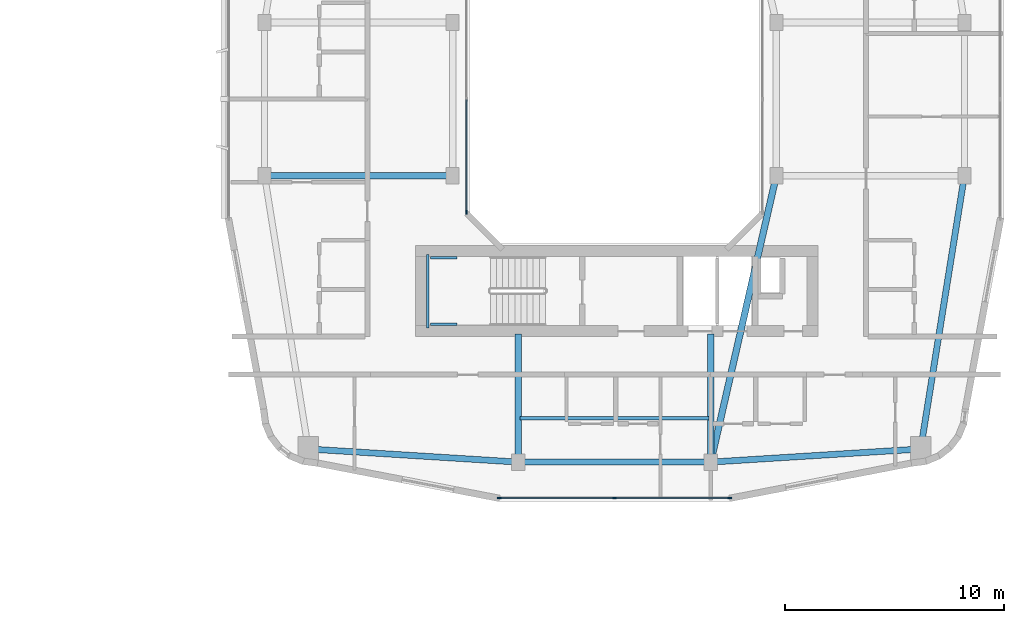
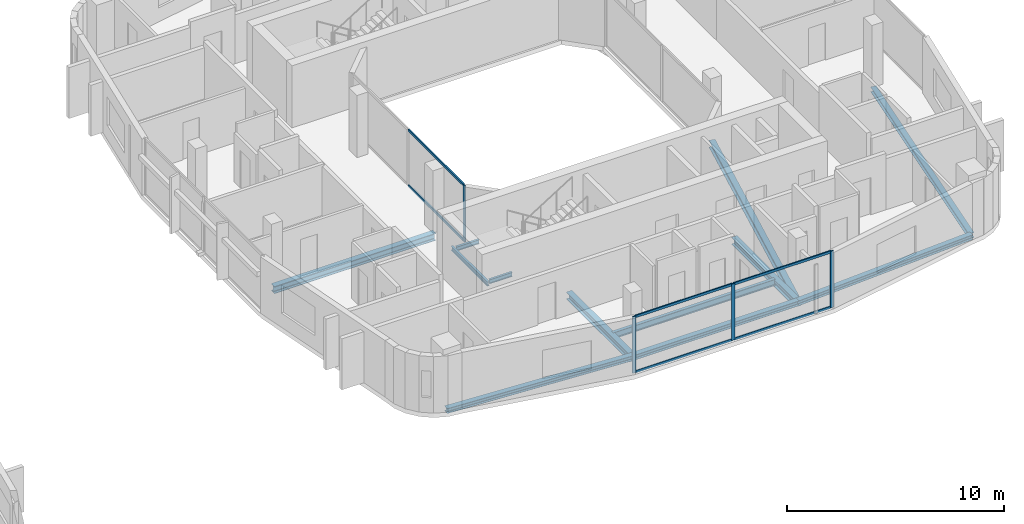
# One storey, part 8 of 25: 12 beams, 10 members, 2 elements without a shape of their own.
"""IFC4 building model written with IfcOpenShell, lengths in metres."""

from ifc_helpers import new_model, si_unit, derived_unit, direction, frame, origin, origin_2d, place, context, subcontext, project, spatial, rectangle, i_section, extrude, material, layer, layer_set, material_profile, profile_set, type_object, element, aggregate, save


model = new_model("IFC4")

# Units and contexts
model_context = context("Model", 3, precision=1e-05, world=origin(), true_north=direction((0.0, 1.0)))
body_context = subcontext(model_context, "Body", "Model", "MODEL_VIEW")
ifc_project = project(units=[si_unit("LENGTHUNIT", "METRE"), si_unit("AREAUNIT", "SQUARE_METRE"), si_unit("VOLUMEUNIT", "CUBIC_METRE"), si_unit("PLANEANGLEUNIT", "RADIAN"), si_unit("MASSUNIT", "GRAM", prefix="KILO"), derived_unit("THERMALTRANSMITTANCEUNIT", [(si_unit("POWERUNIT", "WATT"), 1), (si_unit("LENGTHUNIT", "METRE"), -2), (si_unit("THERMODYNAMICTEMPERATUREUNIT", "KELVIN"), -1)])], contexts=[model_context])

# Site, building, storey
site_placement = place(None, origin())
site = spatial("IfcSite", under=ifc_project, at=site_placement, CompositionType="ELEMENT")
building_placement = place(site_placement, origin())
building = spatial("IfcBuilding", under=site, at=building_placement, Name="Kivonza Crest Hotel", CompositionType="ELEMENT")
storey_placement = place(building_placement, frame((0.0, 0.0, 87.0)))
storey = spatial("IfcBuildingStorey", under=building, at=storey_placement, Name="L23", CompositionType="ELEMENT", Elevation=87.0)

# Beams
ifc_material_1 = material(Name="Steel S355", Category="steel")
ifc_material_profile_1 = material_profile(ifc_material_1, i_section(OverallWidth=0.280029296875, OverallDepth=0.280029296875, WebThickness=0.010498046875, FlangeThickness=0.01806640625, FilletRadius=0.02392578125, at=origin_2d()), Name="HEB 280")
ifc_profile_set_1 = profile_set([ifc_material_profile_1], Name="Steel S355")
beam_type_1 = type_object("IfcBeamType", Name="BM-HEB280", PredefinedType="SPANDREL", material=ifc_profile_set_1)
beam_1_placement = place(storey_placement, frame((72.60009765625, 8.39990234375, -0.389892578125), z_axis=(1.0, 0.0, 0.0), x_axis=(0.0, 1.0, 0.0)))
element("IfcBeam", 1, at=beam_1_placement, inside=storey, type_object=beam_type_1, Name="Companion Tower T2 L23 perimeter spandrel S1-S2", PredefinedType="SPANDREL", context=body_context, shape_type="SweptSolid", body=[
    extrude(i_section(OverallWidth=0.280029296875, OverallDepth=0.280029296875, WebThickness=0.010498046875, FlangeThickness=0.01806640625, FilletRadius=0.02392578125, at=origin_2d()), origin(), (0.0, 0.0, 1.0), 8.7998046875),
])
beam_2_placement = place(storey_placement, frame((81.39990234375, 8.39990234375, -0.389892578125), z_axis=(0.998051985873, 0.062387767186, 0.0), x_axis=(-0.062387767186, 0.998051985873, 0.0)))
element("IfcBeam", 2, at=beam_2_placement, inside=storey, type_object=beam_type_1, Name="Companion Tower T2 L23 perimeter spandrel S2-SE", PredefinedType="SPANDREL", context=body_context, shape_type="SweptSolid", body=[
    extrude(i_section(OverallWidth=0.280029296875, OverallDepth=0.280029296875, WebThickness=0.010498046875, FlangeThickness=0.01806640625, FilletRadius=0.02392578125, at=origin_2d()), origin(), (0.0, 0.0, 1.0), 9.618896484375),
])
beam_3_placement = place(storey_placement, frame((91.0, 9.0, -0.389892578125), z_axis=(0.157990501107, 0.987440631917, 0.0), x_axis=(-0.987440631917, 0.157990501107, 0.0)))
element("IfcBeam", 3, at=beam_3_placement, inside=storey, type_object=beam_type_1, Name="Companion Tower T2 L23 perimeter spandrel SE-E1", PredefinedType="SPANDREL", context=body_context, shape_type="SweptSolid", body=[
    extrude(i_section(OverallWidth=0.280029296875, OverallDepth=0.280029296875, WebThickness=0.010498046875, FlangeThickness=0.01806640625, FilletRadius=0.02392578125, at=origin_2d()), origin(), (0.0, 0.0, 1.0), 12.658935546875),
])
beam_4_placement = place(storey_placement, frame((63.0, 9.0, -0.389892578125), z_axis=(0.998051985873, -0.062387767186, 0.0), x_axis=(0.062387767186, 0.998051985873, 0.0)))
element("IfcBeam", 4, at=beam_4_placement, inside=storey, type_object=beam_type_1, Name="Companion Tower T2 L23 perimeter spandrel SW-S1", PredefinedType="SPANDREL", context=body_context, shape_type="SweptSolid", body=[
    extrude(i_section(OverallWidth=0.280029296875, OverallDepth=0.280029296875, WebThickness=0.010498046875, FlangeThickness=0.01806640625, FilletRadius=0.02392578125, at=origin_2d()), origin(), (0.0, 0.0, 1.0), 9.618896484375),
])
ifc_material_profile_2 = material_profile(ifc_material_1, i_section(OverallWidth=0.300048828125, OverallDepth=0.39990234375, WebThickness=0.013427734375, FlangeThickness=0.02392578125, FilletRadius=0.027099609375, at=origin_2d()), Name="HEB 400")
ifc_profile_set_2 = profile_set([ifc_material_profile_2], Name="Steel S355")
beam_type_2 = type_object("IfcBeamType", Name="BM-HEB400", PredefinedType="BEAM", material=ifc_profile_set_2)
beam_5_placement = place(storey_placement, frame((61.0, 21.5, -0.449951171875), z_axis=(1.0, 0.0, 0.0), x_axis=(0.0, 1.0, 0.0)))
element("IfcBeam", 5, at=beam_5_placement, inside=storey, type_object=beam_type_2, Name="Companion Tower T2 L23 girder W1-WL1", PredefinedType="BEAM", context=body_context, shape_type="SweptSolid", body=[
    extrude(i_section(OverallWidth=0.300048828125, OverallDepth=0.39990234375, WebThickness=0.013427734375, FlangeThickness=0.02392578125, FilletRadius=0.027099609375, at=origin_2d()), origin(), (0.0, 0.0, 1.0), 8.60009765625),
])
beam_6_placement = place(storey_placement, frame((84.39990234375, 21.5, -0.449951171875), z_axis=(-0.223227287589, -0.974766422317, 0.0), x_axis=(0.974766422317, -0.223227287589, 0.0)))
element("IfcBeam", 6, at=beam_6_placement, inside=storey, type_object=beam_type_2, Name="Companion Tower T2 L23 girder WR1-S2", PredefinedType="BEAM", context=body_context, shape_type="SweptSolid", body=[
    extrude(i_section(OverallWidth=0.300048828125, OverallDepth=0.39990234375, WebThickness=0.013427734375, FlangeThickness=0.02392578125, FilletRadius=0.027099609375, at=origin_2d()), origin(), (0.0, 0.0, 1.0), 13.439208984375),
])
for number, where, z_axis, x_axis, name in (
    (7, (72.60009765625, 8.39990234375, -0.449951171875), (0.0, 1.0, 0.0), (-1.0, 0.0, 0.0), "Companion T2 L23 radial core girder RS1"),
    (8, (81.39990234375, 8.39990234375, -0.449951171875), (0.0, 1.0, 0.0), (-1.0, 0.0, 0.0), "Companion T2 L23 radial core girder RS2"),
):
    element("IfcBeam", number, at=place(storey_placement, frame(where, z_axis=z_axis, x_axis=x_axis)), inside=storey, type_object=beam_type_2, Name=name, PredefinedType="BEAM", context=body_context, shape_type="SweptSolid", body=[
        extrude(i_section(OverallWidth=0.300048828125, OverallDepth=0.39990234375, WebThickness=0.013427734375, FlangeThickness=0.02392578125, FilletRadius=0.027099609375, at=origin_2d()), origin(), (0.0, 0.0, 1.0), 5.85009765625),
    ])
ifc_material_profile_3 = material_profile(ifc_material_1, i_section(OverallWidth=0.169921875, OverallDepth=0.360107421875, WebThickness=0.008056640625, FlangeThickness=0.0126953125, FilletRadius=0.01806640625, at=origin_2d()), Name="IPE 360")
ifc_profile_set_3 = profile_set([ifc_material_profile_3], Name="Steel S355")
beam_type_3 = type_object("IfcBeamType", Name="BM-IPE360", PredefinedType="JOIST", material=ifc_profile_set_3)
beam_7_placement = place(storey_placement, frame((72.679931640625, 10.39990234375, -0.429931640625), z_axis=(1.0, 0.0, 0.0), x_axis=(0.0, 1.0, 0.0)))
element("IfcBeam", 9, at=beam_7_placement, inside=storey, type_object=beam_type_3, Name="Companion Tower T2 L23 South floor joist", PredefinedType="JOIST", context=body_context, shape_type="SweptSolid", body=[
    extrude(i_section(OverallWidth=0.169921875, OverallDepth=0.360107421875, WebThickness=0.008056640625, FlangeThickness=0.0126953125, FilletRadius=0.01806640625, at=origin_2d()), origin(), (0.0, 0.0, 1.0), 8.64013671875),
])
ifc_material_profile_4 = material_profile(ifc_material_1, i_section(OverallWidth=0.1201171875, OverallDepth=0.239990234375, WebThickness=0.006103515625, FlangeThickness=0.009765625, FilletRadius=0.014892578125, at=origin_2d()), Name="IPE 240")
ifc_profile_set_4 = profile_set([ifc_material_profile_4], Name="Steel S355")
beam_type_4 = type_object("IfcBeamType", Name="BM-LLDG-240", PredefinedType="BEAM", material=ifc_profile_set_4)
beam_8_placement = place(storey_placement, frame((68.4599609375, 14.5400390625, 1.429931640625), z_axis=(0.0, 1.0, 0.0), x_axis=(-1.0, 0.0, 0.0)))
element("IfcBeam", 10, at=beam_8_placement, inside=storey, type_object=beam_type_4, Name="Stair ST-T2-S L23 West landing corbel", PredefinedType="BEAM", context=body_context, shape_type="SweptSolid", body=[
    extrude(i_section(OverallWidth=0.1201171875, OverallDepth=0.239990234375, WebThickness=0.006103515625, FlangeThickness=0.009765625, FilletRadius=0.014892578125, at=origin_2d()), origin(), (0.0, 0.0, 1.0), 3.35986328125),
])
for number, where, z_axis, x_axis, name in (
    (11, (68.590087890625, 14.699951171875, 1.429931640625), (1.0, 0.0, 0.0), (0.0, 1.0, 0.0), "Stair ST-T2-S L23 South landing corbel"),
    (12, (68.590087890625, 17.739990234375, 1.429931640625), (1.0, 0.0, 0.0), (0.0, 1.0, 0.0), "Stair ST-T2-S L23 North landing corbel"),
):
    element("IfcBeam", number, at=place(storey_placement, frame(where, z_axis=z_axis, x_axis=x_axis)), inside=storey, type_object=beam_type_4, Name=name, PredefinedType="BEAM", context=body_context, shape_type="SweptSolid", body=[
        extrude(i_section(OverallWidth=0.1201171875, OverallDepth=0.239990234375, WebThickness=0.006103515625, FlangeThickness=0.009765625, FilletRadius=0.014892578125, at=origin_2d()), origin(), (0.0, 0.0, 1.0), 1.2099609375),
    ])

# Curtain wall, members
ifc_material_2 = material(Name="Anodised bronze aluminium and low-E double glazing", Category="aluminium")
ifc_layer_1 = layer(ifc_material_2, 0.179931640625)
ifc_layer_set_1 = layer_set([ifc_layer_1], Name="Anodised bronze aluminium and low-E double glazing")
curtain_wall_type_1 = type_object("IfcCurtainWallType", Name="CW-SYS-4", PredefinedType="NOTDEFINED", material=ifc_layer_set_1)
curtain_wall_1_placement = place(storey_placement, origin())
curtain_wall_1 = element("IfcCurtainWall", 13, at=curtain_wall_1_placement, inside=storey, type_object=curtain_wall_type_1, Name="L23 unitised curtain wall CW-T2-L23-08", PredefinedType="NOTDEFINED")
ifc_material_3 = material(Name="Anodised bronze aluminium", Category="aluminium")
ifc_material_profile_5 = material_profile(ifc_material_3, rectangle(XDim=0.06494140625, YDim=0.179931640625, at=origin_2d()), Name="CW-M 65x180")
ifc_profile_set_5 = profile_set([ifc_material_profile_5], Name="Anodised bronze aluminium")
member_type_1 = type_object("IfcMemberType", Name="CW-MUL-65x180", PredefinedType="MULLION", material=ifc_profile_set_5)
member_1_placement = place(storey_placement, frame((71.732421875, 6.760009765625, 0.0), z_axis=(0.0, 0.0, 1.0), x_axis=(0.0, 1.0, 0.0)))
member_1 = element("IfcMember", 14, at=member_1_placement, type_object=member_type_1, Name="CW-4 mullion 1", PredefinedType="MULLION", context=body_context, shape_type="SweptSolid", body=[
    extrude(rectangle(XDim=0.06494140625, YDim=0.179931640625, at=origin_2d()), origin(), (0.0, 0.0, 1.0), 3.179931640625),
])
member_2_placement = place(storey_placement, frame((77.0, 6.760009765625, 0.0), z_axis=(0.0, 0.0, 1.0), x_axis=(0.0, 1.0, 0.0)))
member_2 = element("IfcMember", 15, at=member_2_placement, type_object=member_type_1, Name="CW-4 mullion 2", PredefinedType="MULLION", context=body_context, shape_type="SweptSolid", body=[
    extrude(rectangle(XDim=0.06494140625, YDim=0.179931640625, at=origin_2d()), origin(), (0.0, 0.0, 1.0), 3.179931640625),
])
member_3_placement = place(storey_placement, frame((82.267578125, 6.760009765625, 0.0), z_axis=(0.0, 0.0, 1.0), x_axis=(0.0, 1.0, 0.0)))
member_3 = element("IfcMember", 16, at=member_3_placement, type_object=member_type_1, Name="CW-4 mullion 3", PredefinedType="MULLION", context=body_context, shape_type="SweptSolid", body=[
    extrude(rectangle(XDim=0.06494140625, YDim=0.179931640625, at=origin_2d()), origin(), (0.0, 0.0, 1.0), 3.179931640625),
])

# Curtain wall, member
ifc_layer_2 = layer(ifc_material_2, 0.159912109375)
ifc_layer_set_2 = layer_set([ifc_layer_2], Name="Anodised bronze aluminium and low-E double glazing")
curtain_wall_type_2 = type_object("IfcCurtainWallType", Name="CW-SYS-5", PredefinedType="NOTDEFINED", material=ifc_layer_set_2)
curtain_wall_2_placement = place(storey_placement, origin())
curtain_wall_2 = element("IfcCurtainWall", 17, at=curtain_wall_2_placement, inside=storey, type_object=curtain_wall_type_2, Name="L23 unitised curtain wall CW-WELL-T2-L23-7", PredefinedType="NOTDEFINED")
member_4_placement = place(storey_placement, frame((70.239990234375, 19.83251953125, 0.0), z_axis=(0.0, 0.0, 1.0), x_axis=(1.0, 0.0, 0.0)))
member_4 = element("IfcMember", 18, at=member_4_placement, type_object=member_type_1, Name="CW-5 mullion 3", PredefinedType="MULLION", context=body_context, shape_type="SweptSolid", body=[
    extrude(rectangle(XDim=0.06494140625, YDim=0.179931640625, at=origin_2d()), origin(), (0.0, 0.0, 1.0), 3.179931640625),
])

# Member
ifc_material_profile_6 = material_profile(ifc_material_3, rectangle(XDim=0.06494140625, YDim=0.139892578125, at=origin_2d()), Name="CW-T 65x140")
ifc_profile_set_6 = profile_set([ifc_material_profile_6], Name="Anodised bronze aluminium")
member_type_2 = type_object("IfcMemberType", Name="CW-TRN-65x140", PredefinedType="USERDEFINED", material=ifc_profile_set_6)
member_5_placement = place(storey_placement, frame((71.764892578125, 6.760009765625, 0.032470703125), z_axis=(1.0, 0.0, 0.0), x_axis=(0.0, 1.0, 0.0)))
member_5 = element("IfcMember", 19, at=member_5_placement, type_object=member_type_2, Name="CW-4 transom 1.1", ObjectType="TRANSOM", PredefinedType="USERDEFINED", context=body_context, shape_type="SweptSolid", body=[
    extrude(rectangle(XDim=0.06494140625, YDim=0.139892578125, at=origin_2d()), origin(), (0.0, 0.0, 1.0), 5.20263671875),
])

member_6_placement = place(storey_placement, frame((71.764892578125, 6.760009765625, 3.1474609375), z_axis=(1.0, 0.0, 0.0), x_axis=(0.0, 1.0, 0.0)))
member_6 = element("IfcMember", 20, at=member_6_placement, type_object=member_type_2, Name="CW-4 transom 1.2", ObjectType="TRANSOM", PredefinedType="USERDEFINED", context=body_context, shape_type="SweptSolid", body=[
    extrude(rectangle(XDim=0.06494140625, YDim=0.139892578125, at=origin_2d()), origin(), (0.0, 0.0, 1.0), 5.20263671875),
])

member_7_placement = place(storey_placement, frame((77.032470703125, 6.760009765625, 0.032470703125), z_axis=(1.0, 0.0, 0.0), x_axis=(0.0, 1.0, 0.0)))
member_7 = element("IfcMember", 21, at=member_7_placement, type_object=member_type_2, Name="CW-4 transom 2.1", ObjectType="TRANSOM", PredefinedType="USERDEFINED", context=body_context, shape_type="SweptSolid", body=[
    extrude(rectangle(XDim=0.06494140625, YDim=0.139892578125, at=origin_2d()), origin(), (0.0, 0.0, 1.0), 5.20263671875),
])

member_8_placement = place(storey_placement, frame((77.032470703125, 6.760009765625, 3.1474609375), z_axis=(1.0, 0.0, 0.0), x_axis=(0.0, 1.0, 0.0)))
member_8 = element("IfcMember", 22, at=member_8_placement, type_object=member_type_2, Name="CW-4 transom 2.2", ObjectType="TRANSOM", PredefinedType="USERDEFINED", context=body_context, shape_type="SweptSolid", body=[
    extrude(rectangle(XDim=0.06494140625, YDim=0.139892578125, at=origin_2d()), origin(), (0.0, 0.0, 1.0), 5.20263671875),
])

aggregate(curtain_wall_1, [member_1, member_2, member_3, member_5, member_6, member_7, member_8])

member_9_placement = place(storey_placement, frame((70.239990234375, 24.967529296875, 0.032470703125), z_axis=(0.0, -1.0, 0.0), x_axis=(1.0, 0.0, 0.0)))
member_9 = element("IfcMember", 23, at=member_9_placement, type_object=member_type_2, Name="CW-5 transom 2.1", ObjectType="TRANSOM", PredefinedType="USERDEFINED", context=body_context, shape_type="SweptSolid", body=[
    extrude(rectangle(XDim=0.06494140625, YDim=0.139892578125, at=origin_2d()), origin(), (0.0, 0.0, 1.0), 5.1025390625),
])

member_10_placement = place(storey_placement, frame((70.239990234375, 24.967529296875, 3.1474609375), z_axis=(0.0, -1.0, 0.0), x_axis=(1.0, 0.0, 0.0)))
member_10 = element("IfcMember", 24, at=member_10_placement, type_object=member_type_2, Name="CW-5 transom 2.2", ObjectType="TRANSOM", PredefinedType="USERDEFINED", context=body_context, shape_type="SweptSolid", body=[
    extrude(rectangle(XDim=0.06494140625, YDim=0.139892578125, at=origin_2d()), origin(), (0.0, 0.0, 1.0), 5.1025390625),
])

aggregate(curtain_wall_2, [member_4, member_9, member_10])

save(model, "model.ifc")
